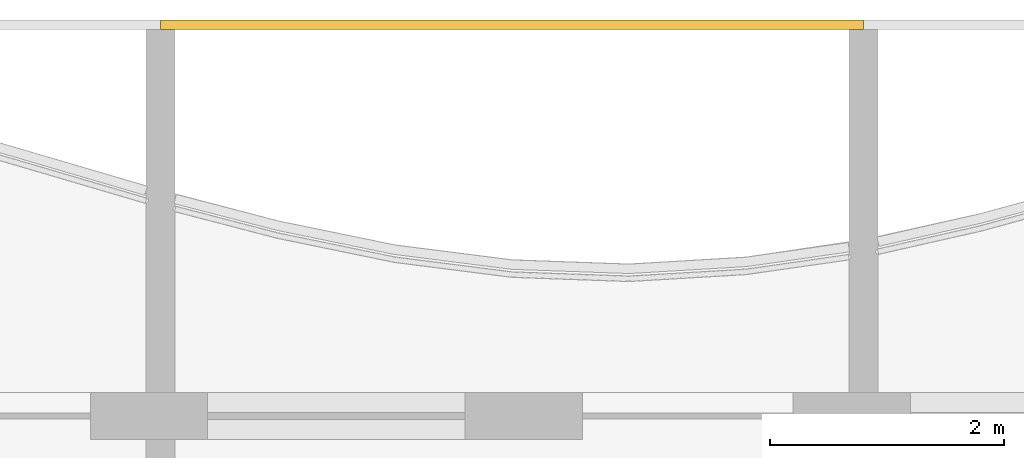
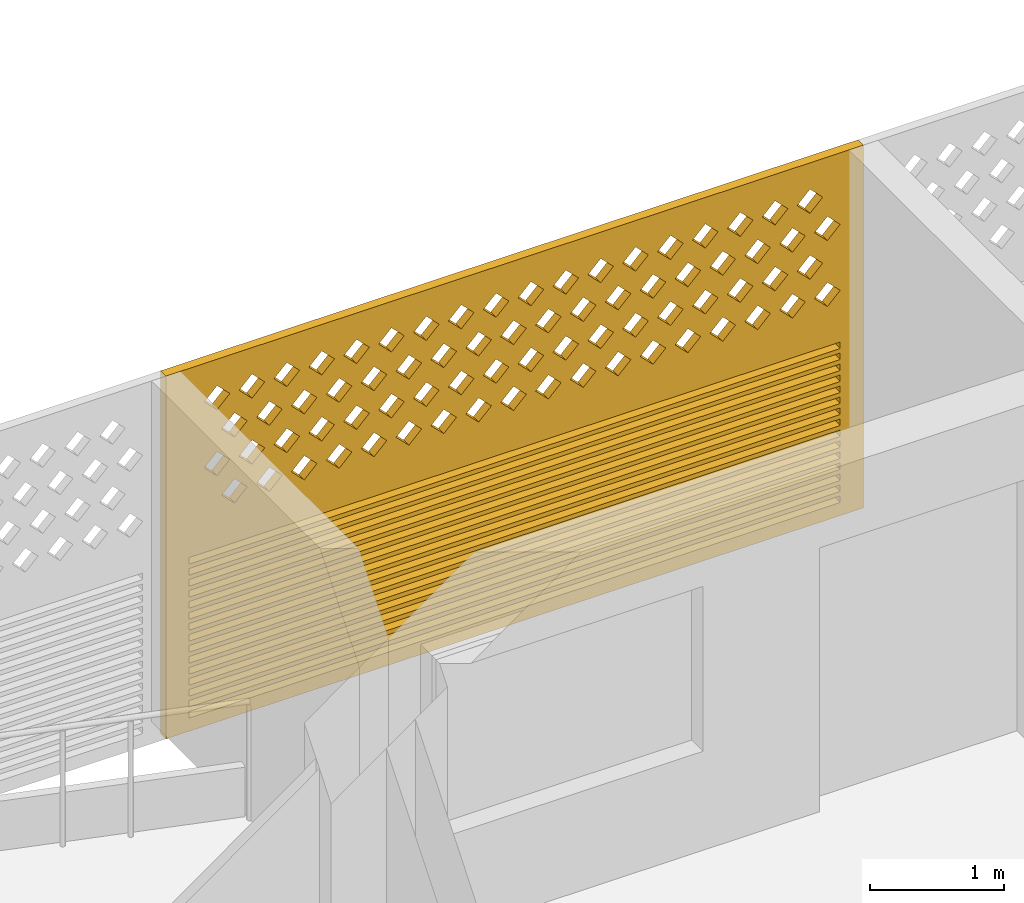
# One storey, part 24 of 26: 1 covering.
"""IFC4 building model written with IfcOpenShell, lengths in metres."""

from ifc_helpers import new_model, si_unit, direction, frame, origin, place, context, subcontext, project, spatial, polyline, outline, extrude, source, transform, mapped, material, material_profile, profile_set, type_object, element, save


model = new_model("IFC4")

# Units and contexts
model_context = context("Model", 3, precision=1e-05, world=origin(), true_north=direction((0.0, 1.0)))
body_context = subcontext(model_context, "Body", "Model", "MODEL_VIEW")
ifc_project = project(units=[si_unit("LENGTHUNIT", "METRE"), si_unit("AREAUNIT", "SQUARE_METRE"), si_unit("VOLUMEUNIT", "CUBIC_METRE"), si_unit("PLANEANGLEUNIT", "RADIAN"), si_unit("MASSUNIT", "GRAM", prefix="KILO")], contexts=[model_context])

# Site, building, storey
site_placement = place(None, origin())
site = spatial("IfcSite", under=ifc_project, at=site_placement, CompositionType="ELEMENT")
building_placement = place(site_placement, origin())
building = spatial("IfcBuilding", under=site, at=building_placement, Name="Poui Terraces", CompositionType="ELEMENT")
storey_placement = place(building_placement, frame((0.0, 0.0, 241.199951171875)))
storey = spatial("IfcBuildingStorey", under=building, at=storey_placement, Name="L67", CompositionType="ELEMENT", Elevation=241.199951171875)

# Covering
ifc_material = material(Name="Terracotta screen", Category="masonry")
ifc_material_profile = material_profile(ifc_material, outline(polyline([(-3.0, -1.64990234375), (3.0, -1.64990234375), (3.0, 1.64990234375), (-3.0, 1.64990234375), (-3.0, -1.64990234375)]), holes=[polyline([(-2.800048828125, 0.39990234375), (-2.68994140625, 0.2900390625), (-2.580078125, 0.39990234375), (-2.68994140625, 0.510009765625), (-2.800048828125, 0.39990234375)]), polyline([(-2.5, 0.39990234375), (-2.389892578125, 0.2900390625), (-2.280029296875, 0.39990234375), (-2.389892578125, 0.510009765625), (-2.5, 0.39990234375)]), polyline([(-2.199951171875, 0.39990234375), (-2.090087890625, 0.2900390625), (-1.97998046875, 0.39990234375), (-2.090087890625, 0.510009765625), (-2.199951171875, 0.39990234375)]), polyline([(-1.89990234375, 0.39990234375), (-1.7900390625, 0.2900390625), (-1.679931640625, 0.39990234375), (-1.7900390625, 0.510009765625), (-1.89990234375, 0.39990234375)]), polyline([(-1.60009765625, 0.39990234375), (-1.489990234375, 0.2900390625), (-1.3798828125, 0.39990234375), (-1.489990234375, 0.510009765625), (-1.60009765625, 0.39990234375)]), polyline([(-1.300048828125, 0.39990234375), (-1.18994140625, 0.2900390625), (-1.080078125, 0.39990234375), (-1.18994140625, 0.510009765625), (-1.300048828125, 0.39990234375)]), polyline([(-1.0, 0.39990234375), (-0.889892578125, 0.2900390625), (-0.780029296875, 0.39990234375), (-0.889892578125, 0.510009765625), (-1.0, 0.39990234375)]), polyline([(-0.699951171875, 0.39990234375), (-0.590087890625, 0.2900390625), (-0.47998046875, 0.39990234375), (-0.590087890625, 0.510009765625), (-0.699951171875, 0.39990234375)]), polyline([(-0.39990234375, 0.39990234375), (-0.2900390625, 0.2900390625), (-0.179931640625, 0.39990234375), (-0.2900390625, 0.510009765625), (-0.39990234375, 0.39990234375)]), polyline([(-0.10009765625, 0.39990234375), (0.010009765625, 0.2900390625), (0.1201171875, 0.39990234375), (0.010009765625, 0.510009765625), (-0.10009765625, 0.39990234375)]), polyline([(0.199951171875, 0.39990234375), (0.31005859375, 0.2900390625), (0.419921875, 0.39990234375), (0.31005859375, 0.510009765625), (0.199951171875, 0.39990234375)]), polyline([(0.5, 0.39990234375), (0.610107421875, 0.2900390625), (0.719970703125, 0.39990234375), (0.610107421875, 0.510009765625), (0.5, 0.39990234375)]), polyline([(0.800048828125, 0.39990234375), (0.909912109375, 0.2900390625), (1.02001953125, 0.39990234375), (0.909912109375, 0.510009765625), (0.800048828125, 0.39990234375)]), polyline([(1.10009765625, 0.39990234375), (1.2099609375, 0.2900390625), (1.320068359375, 0.39990234375), (1.2099609375, 0.510009765625), (1.10009765625, 0.39990234375)]), polyline([(1.39990234375, 0.39990234375), (1.510009765625, 0.2900390625), (1.6201171875, 0.39990234375), (1.510009765625, 0.510009765625), (1.39990234375, 0.39990234375)]), polyline([(1.699951171875, 0.39990234375), (1.81005859375, 0.2900390625), (1.919921875, 0.39990234375), (1.81005859375, 0.510009765625), (1.699951171875, 0.39990234375)]), polyline([(2.0, 0.39990234375), (2.110107421875, 0.2900390625), (2.219970703125, 0.39990234375), (2.110107421875, 0.510009765625), (2.0, 0.39990234375)]), polyline([(2.300048828125, 0.39990234375), (2.409912109375, 0.2900390625), (2.52001953125, 0.39990234375), (2.409912109375, 0.510009765625), (2.300048828125, 0.39990234375)]), polyline([(-2.64990234375, 0.699951171875), (-2.5400390625, 0.590087890625), (-2.429931640625, 0.699951171875), (-2.5400390625, 0.81005859375), (-2.64990234375, 0.699951171875)]), polyline([(-2.35009765625, 0.699951171875), (-2.239990234375, 0.590087890625), (-2.1298828125, 0.699951171875), (-2.239990234375, 0.81005859375), (-2.35009765625, 0.699951171875)]), polyline([(-2.050048828125, 0.699951171875), (-1.93994140625, 0.590087890625), (-1.830078125, 0.699951171875), (-1.93994140625, 0.81005859375), (-2.050048828125, 0.699951171875)]), polyline([(-1.75, 0.699951171875), (-1.639892578125, 0.590087890625), (-1.530029296875, 0.699951171875), (-1.639892578125, 0.81005859375), (-1.75, 0.699951171875)]), polyline([(-1.449951171875, 0.699951171875), (-1.340087890625, 0.590087890625), (-1.22998046875, 0.699951171875), (-1.340087890625, 0.81005859375), (-1.449951171875, 0.699951171875)]), polyline([(-1.14990234375, 0.699951171875), (-1.0400390625, 0.590087890625), (-0.929931640625, 0.699951171875), (-1.0400390625, 0.81005859375), (-1.14990234375, 0.699951171875)]), polyline([(-0.85009765625, 0.699951171875), (-0.739990234375, 0.590087890625), (-0.6298828125, 0.699951171875), (-0.739990234375, 0.81005859375), (-0.85009765625, 0.699951171875)]), polyline([(-0.550048828125, 0.699951171875), (-0.43994140625, 0.590087890625), (-0.330078125, 0.699951171875), (-0.43994140625, 0.81005859375), (-0.550048828125, 0.699951171875)]), polyline([(-0.25, 0.699951171875), (-0.139892578125, 0.590087890625), (-0.030029296875, 0.699951171875), (-0.139892578125, 0.81005859375), (-0.25, 0.699951171875)]), polyline([(0.050048828125, 0.699951171875), (0.159912109375, 0.590087890625), (0.27001953125, 0.699951171875), (0.159912109375, 0.81005859375), (0.050048828125, 0.699951171875)]), polyline([(0.35009765625, 0.699951171875), (0.4599609375, 0.590087890625), (0.570068359375, 0.699951171875), (0.4599609375, 0.81005859375), (0.35009765625, 0.699951171875)]), polyline([(0.64990234375, 0.699951171875), (0.760009765625, 0.590087890625), (0.8701171875, 0.699951171875), (0.760009765625, 0.81005859375), (0.64990234375, 0.699951171875)]), polyline([(0.949951171875, 0.699951171875), (1.06005859375, 0.590087890625), (1.169921875, 0.699951171875), (1.06005859375, 0.81005859375), (0.949951171875, 0.699951171875)]), polyline([(1.25, 0.699951171875), (1.360107421875, 0.590087890625), (1.469970703125, 0.699951171875), (1.360107421875, 0.81005859375), (1.25, 0.699951171875)]), polyline([(1.550048828125, 0.699951171875), (1.659912109375, 0.590087890625), (1.77001953125, 0.699951171875), (1.659912109375, 0.81005859375), (1.550048828125, 0.699951171875)]), polyline([(1.85009765625, 0.699951171875), (1.9599609375, 0.590087890625), (2.070068359375, 0.699951171875), (1.9599609375, 0.81005859375), (1.85009765625, 0.699951171875)]), polyline([(2.14990234375, 0.699951171875), (2.260009765625, 0.590087890625), (2.3701171875, 0.699951171875), (2.260009765625, 0.81005859375), (2.14990234375, 0.699951171875)]), polyline([(2.449951171875, 0.699951171875), (2.56005859375, 0.590087890625), (2.669921875, 0.699951171875), (2.56005859375, 0.81005859375), (2.449951171875, 0.699951171875)]), polyline([(-2.800048828125, 1.0), (-2.68994140625, 0.889892578125), (-2.580078125, 1.0), (-2.68994140625, 1.110107421875), (-2.800048828125, 1.0)]), polyline([(-2.5, 1.0), (-2.389892578125, 0.889892578125), (-2.280029296875, 1.0), (-2.389892578125, 1.110107421875), (-2.5, 1.0)]), polyline([(-2.199951171875, 1.0), (-2.090087890625, 0.889892578125), (-1.97998046875, 1.0), (-2.090087890625, 1.110107421875), (-2.199951171875, 1.0)]), polyline([(-1.89990234375, 1.0), (-1.7900390625, 0.889892578125), (-1.679931640625, 1.0), (-1.7900390625, 1.110107421875), (-1.89990234375, 1.0)]), polyline([(-1.60009765625, 1.0), (-1.489990234375, 0.889892578125), (-1.3798828125, 1.0), (-1.489990234375, 1.110107421875), (-1.60009765625, 1.0)]), polyline([(-1.300048828125, 1.0), (-1.18994140625, 0.889892578125), (-1.080078125, 1.0), (-1.18994140625, 1.110107421875), (-1.300048828125, 1.0)]), polyline([(-1.0, 1.0), (-0.889892578125, 0.889892578125), (-0.780029296875, 1.0), (-0.889892578125, 1.110107421875), (-1.0, 1.0)]), polyline([(-0.699951171875, 1.0), (-0.590087890625, 0.889892578125), (-0.47998046875, 1.0), (-0.590087890625, 1.110107421875), (-0.699951171875, 1.0)]), polyline([(-0.39990234375, 1.0), (-0.2900390625, 0.889892578125), (-0.179931640625, 1.0), (-0.2900390625, 1.110107421875), (-0.39990234375, 1.0)]), polyline([(-0.10009765625, 1.0), (0.010009765625, 0.889892578125), (0.1201171875, 1.0), (0.010009765625, 1.110107421875), (-0.10009765625, 1.0)]), polyline([(0.199951171875, 1.0), (0.31005859375, 0.889892578125), (0.419921875, 1.0), (0.31005859375, 1.110107421875), (0.199951171875, 1.0)]), polyline([(0.5, 1.0), (0.610107421875, 0.889892578125), (0.719970703125, 1.0), (0.610107421875, 1.110107421875), (0.5, 1.0)]), polyline([(0.800048828125, 1.0), (0.909912109375, 0.889892578125), (1.02001953125, 1.0), (0.909912109375, 1.110107421875), (0.800048828125, 1.0)]), polyline([(1.10009765625, 1.0), (1.2099609375, 0.889892578125), (1.320068359375, 1.0), (1.2099609375, 1.110107421875), (1.10009765625, 1.0)]), polyline([(1.39990234375, 1.0), (1.510009765625, 0.889892578125), (1.6201171875, 1.0), (1.510009765625, 1.110107421875), (1.39990234375, 1.0)]), polyline([(1.699951171875, 1.0), (1.81005859375, 0.889892578125), (1.919921875, 1.0), (1.81005859375, 1.110107421875), (1.699951171875, 1.0)]), polyline([(2.0, 1.0), (2.110107421875, 0.889892578125), (2.219970703125, 1.0), (2.110107421875, 1.110107421875), (2.0, 1.0)]), polyline([(2.300048828125, 1.0), (2.409912109375, 0.889892578125), (2.52001953125, 1.0), (2.409912109375, 1.110107421875), (2.300048828125, 1.0)]), polyline([(-2.64990234375, 1.300048828125), (-2.5400390625, 1.18994140625), (-2.429931640625, 1.300048828125), (-2.5400390625, 1.409912109375), (-2.64990234375, 1.300048828125)]), polyline([(-2.35009765625, 1.300048828125), (-2.239990234375, 1.18994140625), (-2.1298828125, 1.300048828125), (-2.239990234375, 1.409912109375), (-2.35009765625, 1.300048828125)]), polyline([(-2.050048828125, 1.300048828125), (-1.93994140625, 1.18994140625), (-1.830078125, 1.300048828125), (-1.93994140625, 1.409912109375), (-2.050048828125, 1.300048828125)]), polyline([(-1.75, 1.300048828125), (-1.639892578125, 1.18994140625), (-1.530029296875, 1.300048828125), (-1.639892578125, 1.409912109375), (-1.75, 1.300048828125)]), polyline([(-1.449951171875, 1.300048828125), (-1.340087890625, 1.18994140625), (-1.22998046875, 1.300048828125), (-1.340087890625, 1.409912109375), (-1.449951171875, 1.300048828125)]), polyline([(-1.14990234375, 1.300048828125), (-1.0400390625, 1.18994140625), (-0.929931640625, 1.300048828125), (-1.0400390625, 1.409912109375), (-1.14990234375, 1.300048828125)]), polyline([(-0.85009765625, 1.300048828125), (-0.739990234375, 1.18994140625), (-0.6298828125, 1.300048828125), (-0.739990234375, 1.409912109375), (-0.85009765625, 1.300048828125)]), polyline([(-0.550048828125, 1.300048828125), (-0.43994140625, 1.18994140625), (-0.330078125, 1.300048828125), (-0.43994140625, 1.409912109375), (-0.550048828125, 1.300048828125)]), polyline([(-0.25, 1.300048828125), (-0.139892578125, 1.18994140625), (-0.030029296875, 1.300048828125), (-0.139892578125, 1.409912109375), (-0.25, 1.300048828125)]), polyline([(0.050048828125, 1.300048828125), (0.159912109375, 1.18994140625), (0.27001953125, 1.300048828125), (0.159912109375, 1.409912109375), (0.050048828125, 1.300048828125)]), polyline([(0.35009765625, 1.300048828125), (0.4599609375, 1.18994140625), (0.570068359375, 1.300048828125), (0.4599609375, 1.409912109375), (0.35009765625, 1.300048828125)]), polyline([(0.64990234375, 1.300048828125), (0.760009765625, 1.18994140625), (0.8701171875, 1.300048828125), (0.760009765625, 1.409912109375), (0.64990234375, 1.300048828125)]), polyline([(0.949951171875, 1.300048828125), (1.06005859375, 1.18994140625), (1.169921875, 1.300048828125), (1.06005859375, 1.409912109375), (0.949951171875, 1.300048828125)]), polyline([(1.25, 1.300048828125), (1.360107421875, 1.18994140625), (1.469970703125, 1.300048828125), (1.360107421875, 1.409912109375), (1.25, 1.300048828125)]), polyline([(1.550048828125, 1.300048828125), (1.659912109375, 1.18994140625), (1.77001953125, 1.300048828125), (1.659912109375, 1.409912109375), (1.550048828125, 1.300048828125)]), polyline([(1.85009765625, 1.300048828125), (1.9599609375, 1.18994140625), (2.070068359375, 1.300048828125), (1.9599609375, 1.409912109375), (1.85009765625, 1.300048828125)]), polyline([(2.14990234375, 1.300048828125), (2.260009765625, 1.18994140625), (2.3701171875, 1.300048828125), (2.260009765625, 1.409912109375), (2.14990234375, 1.300048828125)]), polyline([(2.449951171875, 1.300048828125), (2.56005859375, 1.18994140625), (2.669921875, 1.300048828125), (2.56005859375, 1.409912109375), (2.449951171875, 1.300048828125)]), polyline([(-2.800048828125, -1.530029296875), (2.800048828125, -1.530029296875), (2.800048828125, -1.469970703125), (-2.800048828125, -1.469970703125), (-2.800048828125, -1.530029296875)]), polyline([(-2.800048828125, -1.429931640625), (2.800048828125, -1.429931640625), (2.800048828125, -1.3701171875), (-2.800048828125, -1.3701171875), (-2.800048828125, -1.429931640625)]), polyline([(-2.800048828125, -1.330078125), (2.800048828125, -1.330078125), (2.800048828125, -1.27001953125), (-2.800048828125, -1.27001953125), (-2.800048828125, -1.330078125)]), polyline([(-2.800048828125, -1.22998046875), (2.800048828125, -1.22998046875), (2.800048828125, -1.169921875), (-2.800048828125, -1.169921875), (-2.800048828125, -1.22998046875)]), polyline([(-2.800048828125, -1.1298828125), (2.800048828125, -1.1298828125), (2.800048828125, -1.070068359375), (-2.800048828125, -1.070068359375), (-2.800048828125, -1.1298828125)]), polyline([(-2.800048828125, -1.030029296875), (2.800048828125, -1.030029296875), (2.800048828125, -0.969970703125), (-2.800048828125, -0.969970703125), (-2.800048828125, -1.030029296875)]), polyline([(-2.800048828125, -0.929931640625), (2.800048828125, -0.929931640625), (2.800048828125, -0.8701171875), (-2.800048828125, -0.8701171875), (-2.800048828125, -0.929931640625)]), polyline([(-2.800048828125, -0.830078125), (2.800048828125, -0.830078125), (2.800048828125, -0.77001953125), (-2.800048828125, -0.77001953125), (-2.800048828125, -0.830078125)]), polyline([(-2.800048828125, -0.72998046875), (2.800048828125, -0.72998046875), (2.800048828125, -0.669921875), (-2.800048828125, -0.669921875), (-2.800048828125, -0.72998046875)]), polyline([(-2.800048828125, -0.6298828125), (2.800048828125, -0.6298828125), (2.800048828125, -0.570068359375), (-2.800048828125, -0.570068359375), (-2.800048828125, -0.6298828125)]), polyline([(-2.800048828125, -0.530029296875), (2.800048828125, -0.530029296875), (2.800048828125, -0.469970703125), (-2.800048828125, -0.469970703125), (-2.800048828125, -0.530029296875)]), polyline([(-2.800048828125, -0.429931640625), (2.800048828125, -0.429931640625), (2.800048828125, -0.3701171875), (-2.800048828125, -0.3701171875), (-2.800048828125, -0.429931640625)]), polyline([(-2.800048828125, -0.330078125), (2.800048828125, -0.330078125), (2.800048828125, -0.27001953125), (-2.800048828125, -0.27001953125), (-2.800048828125, -0.330078125)]), polyline([(-2.800048828125, -0.22998046875), (2.800048828125, -0.22998046875), (2.800048828125, -0.169921875), (-2.800048828125, -0.169921875), (-2.800048828125, -0.22998046875)]), polyline([(-2.800048828125, -0.1298828125), (2.800048828125, -0.1298828125), (2.800048828125, -0.070068359375), (-2.800048828125, -0.070068359375), (-2.800048828125, -0.1298828125)])]), Name="TERRACOTTA SCREEN AND JALOUSIE LOUVRE 6000X3300")
ifc_profile_set = profile_set([ifc_material_profile], Name="Terracotta screen")
covering_type = type_object("IfcCoveringType", Name="TERRACOTTA SCREEN AND JALOUSIE LOUVRE 6000X3300", PredefinedType="CLADDING", material=ifc_profile_set)
shared_shape = source(origin(), body_context, "Body", "SweptSolid", [
    extrude(outline(polyline([(-3.0, -1.64990234375), (3.0, -1.64990234375), (3.0, 1.64990234375), (-3.0, 1.64990234375), (-3.0, -1.64990234375)]), holes=[polyline([(-2.800048828125, 0.39990234375), (-2.68994140625, 0.2900390625), (-2.580078125, 0.39990234375), (-2.68994140625, 0.510009765625), (-2.800048828125, 0.39990234375)]), polyline([(-2.5, 0.39990234375), (-2.389892578125, 0.2900390625), (-2.280029296875, 0.39990234375), (-2.389892578125, 0.510009765625), (-2.5, 0.39990234375)]), polyline([(-2.199951171875, 0.39990234375), (-2.090087890625, 0.2900390625), (-1.97998046875, 0.39990234375), (-2.090087890625, 0.510009765625), (-2.199951171875, 0.39990234375)]), polyline([(-1.89990234375, 0.39990234375), (-1.7900390625, 0.2900390625), (-1.679931640625, 0.39990234375), (-1.7900390625, 0.510009765625), (-1.89990234375, 0.39990234375)]), polyline([(-1.60009765625, 0.39990234375), (-1.489990234375, 0.2900390625), (-1.3798828125, 0.39990234375), (-1.489990234375, 0.510009765625), (-1.60009765625, 0.39990234375)]), polyline([(-1.300048828125, 0.39990234375), (-1.18994140625, 0.2900390625), (-1.080078125, 0.39990234375), (-1.18994140625, 0.510009765625), (-1.300048828125, 0.39990234375)]), polyline([(-1.0, 0.39990234375), (-0.889892578125, 0.2900390625), (-0.780029296875, 0.39990234375), (-0.889892578125, 0.510009765625), (-1.0, 0.39990234375)]), polyline([(-0.699951171875, 0.39990234375), (-0.590087890625, 0.2900390625), (-0.47998046875, 0.39990234375), (-0.590087890625, 0.510009765625), (-0.699951171875, 0.39990234375)]), polyline([(-0.39990234375, 0.39990234375), (-0.2900390625, 0.2900390625), (-0.179931640625, 0.39990234375), (-0.2900390625, 0.510009765625), (-0.39990234375, 0.39990234375)]), polyline([(-0.10009765625, 0.39990234375), (0.010009765625, 0.2900390625), (0.1201171875, 0.39990234375), (0.010009765625, 0.510009765625), (-0.10009765625, 0.39990234375)]), polyline([(0.199951171875, 0.39990234375), (0.31005859375, 0.2900390625), (0.419921875, 0.39990234375), (0.31005859375, 0.510009765625), (0.199951171875, 0.39990234375)]), polyline([(0.5, 0.39990234375), (0.610107421875, 0.2900390625), (0.719970703125, 0.39990234375), (0.610107421875, 0.510009765625), (0.5, 0.39990234375)]), polyline([(0.800048828125, 0.39990234375), (0.909912109375, 0.2900390625), (1.02001953125, 0.39990234375), (0.909912109375, 0.510009765625), (0.800048828125, 0.39990234375)]), polyline([(1.10009765625, 0.39990234375), (1.2099609375, 0.2900390625), (1.320068359375, 0.39990234375), (1.2099609375, 0.510009765625), (1.10009765625, 0.39990234375)]), polyline([(1.39990234375, 0.39990234375), (1.510009765625, 0.2900390625), (1.6201171875, 0.39990234375), (1.510009765625, 0.510009765625), (1.39990234375, 0.39990234375)]), polyline([(1.699951171875, 0.39990234375), (1.81005859375, 0.2900390625), (1.919921875, 0.39990234375), (1.81005859375, 0.510009765625), (1.699951171875, 0.39990234375)]), polyline([(2.0, 0.39990234375), (2.110107421875, 0.2900390625), (2.219970703125, 0.39990234375), (2.110107421875, 0.510009765625), (2.0, 0.39990234375)]), polyline([(2.300048828125, 0.39990234375), (2.409912109375, 0.2900390625), (2.52001953125, 0.39990234375), (2.409912109375, 0.510009765625), (2.300048828125, 0.39990234375)]), polyline([(-2.64990234375, 0.699951171875), (-2.5400390625, 0.590087890625), (-2.429931640625, 0.699951171875), (-2.5400390625, 0.81005859375), (-2.64990234375, 0.699951171875)]), polyline([(-2.35009765625, 0.699951171875), (-2.239990234375, 0.590087890625), (-2.1298828125, 0.699951171875), (-2.239990234375, 0.81005859375), (-2.35009765625, 0.699951171875)]), polyline([(-2.050048828125, 0.699951171875), (-1.93994140625, 0.590087890625), (-1.830078125, 0.699951171875), (-1.93994140625, 0.81005859375), (-2.050048828125, 0.699951171875)]), polyline([(-1.75, 0.699951171875), (-1.639892578125, 0.590087890625), (-1.530029296875, 0.699951171875), (-1.639892578125, 0.81005859375), (-1.75, 0.699951171875)]), polyline([(-1.449951171875, 0.699951171875), (-1.340087890625, 0.590087890625), (-1.22998046875, 0.699951171875), (-1.340087890625, 0.81005859375), (-1.449951171875, 0.699951171875)]), polyline([(-1.14990234375, 0.699951171875), (-1.0400390625, 0.590087890625), (-0.929931640625, 0.699951171875), (-1.0400390625, 0.81005859375), (-1.14990234375, 0.699951171875)]), polyline([(-0.85009765625, 0.699951171875), (-0.739990234375, 0.590087890625), (-0.6298828125, 0.699951171875), (-0.739990234375, 0.81005859375), (-0.85009765625, 0.699951171875)]), polyline([(-0.550048828125, 0.699951171875), (-0.43994140625, 0.590087890625), (-0.330078125, 0.699951171875), (-0.43994140625, 0.81005859375), (-0.550048828125, 0.699951171875)]), polyline([(-0.25, 0.699951171875), (-0.139892578125, 0.590087890625), (-0.030029296875, 0.699951171875), (-0.139892578125, 0.81005859375), (-0.25, 0.699951171875)]), polyline([(0.050048828125, 0.699951171875), (0.159912109375, 0.590087890625), (0.27001953125, 0.699951171875), (0.159912109375, 0.81005859375), (0.050048828125, 0.699951171875)]), polyline([(0.35009765625, 0.699951171875), (0.4599609375, 0.590087890625), (0.570068359375, 0.699951171875), (0.4599609375, 0.81005859375), (0.35009765625, 0.699951171875)]), polyline([(0.64990234375, 0.699951171875), (0.760009765625, 0.590087890625), (0.8701171875, 0.699951171875), (0.760009765625, 0.81005859375), (0.64990234375, 0.699951171875)]), polyline([(0.949951171875, 0.699951171875), (1.06005859375, 0.590087890625), (1.169921875, 0.699951171875), (1.06005859375, 0.81005859375), (0.949951171875, 0.699951171875)]), polyline([(1.25, 0.699951171875), (1.360107421875, 0.590087890625), (1.469970703125, 0.699951171875), (1.360107421875, 0.81005859375), (1.25, 0.699951171875)]), polyline([(1.550048828125, 0.699951171875), (1.659912109375, 0.590087890625), (1.77001953125, 0.699951171875), (1.659912109375, 0.81005859375), (1.550048828125, 0.699951171875)]), polyline([(1.85009765625, 0.699951171875), (1.9599609375, 0.590087890625), (2.070068359375, 0.699951171875), (1.9599609375, 0.81005859375), (1.85009765625, 0.699951171875)]), polyline([(2.14990234375, 0.699951171875), (2.260009765625, 0.590087890625), (2.3701171875, 0.699951171875), (2.260009765625, 0.81005859375), (2.14990234375, 0.699951171875)]), polyline([(2.449951171875, 0.699951171875), (2.56005859375, 0.590087890625), (2.669921875, 0.699951171875), (2.56005859375, 0.81005859375), (2.449951171875, 0.699951171875)]), polyline([(-2.800048828125, 1.0), (-2.68994140625, 0.889892578125), (-2.580078125, 1.0), (-2.68994140625, 1.110107421875), (-2.800048828125, 1.0)]), polyline([(-2.5, 1.0), (-2.389892578125, 0.889892578125), (-2.280029296875, 1.0), (-2.389892578125, 1.110107421875), (-2.5, 1.0)]), polyline([(-2.199951171875, 1.0), (-2.090087890625, 0.889892578125), (-1.97998046875, 1.0), (-2.090087890625, 1.110107421875), (-2.199951171875, 1.0)]), polyline([(-1.89990234375, 1.0), (-1.7900390625, 0.889892578125), (-1.679931640625, 1.0), (-1.7900390625, 1.110107421875), (-1.89990234375, 1.0)]), polyline([(-1.60009765625, 1.0), (-1.489990234375, 0.889892578125), (-1.3798828125, 1.0), (-1.489990234375, 1.110107421875), (-1.60009765625, 1.0)]), polyline([(-1.300048828125, 1.0), (-1.18994140625, 0.889892578125), (-1.080078125, 1.0), (-1.18994140625, 1.110107421875), (-1.300048828125, 1.0)]), polyline([(-1.0, 1.0), (-0.889892578125, 0.889892578125), (-0.780029296875, 1.0), (-0.889892578125, 1.110107421875), (-1.0, 1.0)]), polyline([(-0.699951171875, 1.0), (-0.590087890625, 0.889892578125), (-0.47998046875, 1.0), (-0.590087890625, 1.110107421875), (-0.699951171875, 1.0)]), polyline([(-0.39990234375, 1.0), (-0.2900390625, 0.889892578125), (-0.179931640625, 1.0), (-0.2900390625, 1.110107421875), (-0.39990234375, 1.0)]), polyline([(-0.10009765625, 1.0), (0.010009765625, 0.889892578125), (0.1201171875, 1.0), (0.010009765625, 1.110107421875), (-0.10009765625, 1.0)]), polyline([(0.199951171875, 1.0), (0.31005859375, 0.889892578125), (0.419921875, 1.0), (0.31005859375, 1.110107421875), (0.199951171875, 1.0)]), polyline([(0.5, 1.0), (0.610107421875, 0.889892578125), (0.719970703125, 1.0), (0.610107421875, 1.110107421875), (0.5, 1.0)]), polyline([(0.800048828125, 1.0), (0.909912109375, 0.889892578125), (1.02001953125, 1.0), (0.909912109375, 1.110107421875), (0.800048828125, 1.0)]), polyline([(1.10009765625, 1.0), (1.2099609375, 0.889892578125), (1.320068359375, 1.0), (1.2099609375, 1.110107421875), (1.10009765625, 1.0)]), polyline([(1.39990234375, 1.0), (1.510009765625, 0.889892578125), (1.6201171875, 1.0), (1.510009765625, 1.110107421875), (1.39990234375, 1.0)]), polyline([(1.699951171875, 1.0), (1.81005859375, 0.889892578125), (1.919921875, 1.0), (1.81005859375, 1.110107421875), (1.699951171875, 1.0)]), polyline([(2.0, 1.0), (2.110107421875, 0.889892578125), (2.219970703125, 1.0), (2.110107421875, 1.110107421875), (2.0, 1.0)]), polyline([(2.300048828125, 1.0), (2.409912109375, 0.889892578125), (2.52001953125, 1.0), (2.409912109375, 1.110107421875), (2.300048828125, 1.0)]), polyline([(-2.64990234375, 1.300048828125), (-2.5400390625, 1.18994140625), (-2.429931640625, 1.300048828125), (-2.5400390625, 1.409912109375), (-2.64990234375, 1.300048828125)]), polyline([(-2.35009765625, 1.300048828125), (-2.239990234375, 1.18994140625), (-2.1298828125, 1.300048828125), (-2.239990234375, 1.409912109375), (-2.35009765625, 1.300048828125)]), polyline([(-2.050048828125, 1.300048828125), (-1.93994140625, 1.18994140625), (-1.830078125, 1.300048828125), (-1.93994140625, 1.409912109375), (-2.050048828125, 1.300048828125)]), polyline([(-1.75, 1.300048828125), (-1.639892578125, 1.18994140625), (-1.530029296875, 1.300048828125), (-1.639892578125, 1.409912109375), (-1.75, 1.300048828125)]), polyline([(-1.449951171875, 1.300048828125), (-1.340087890625, 1.18994140625), (-1.22998046875, 1.300048828125), (-1.340087890625, 1.409912109375), (-1.449951171875, 1.300048828125)]), polyline([(-1.14990234375, 1.300048828125), (-1.0400390625, 1.18994140625), (-0.929931640625, 1.300048828125), (-1.0400390625, 1.409912109375), (-1.14990234375, 1.300048828125)]), polyline([(-0.85009765625, 1.300048828125), (-0.739990234375, 1.18994140625), (-0.6298828125, 1.300048828125), (-0.739990234375, 1.409912109375), (-0.85009765625, 1.300048828125)]), polyline([(-0.550048828125, 1.300048828125), (-0.43994140625, 1.18994140625), (-0.330078125, 1.300048828125), (-0.43994140625, 1.409912109375), (-0.550048828125, 1.300048828125)]), polyline([(-0.25, 1.300048828125), (-0.139892578125, 1.18994140625), (-0.030029296875, 1.300048828125), (-0.139892578125, 1.409912109375), (-0.25, 1.300048828125)]), polyline([(0.050048828125, 1.300048828125), (0.159912109375, 1.18994140625), (0.27001953125, 1.300048828125), (0.159912109375, 1.409912109375), (0.050048828125, 1.300048828125)]), polyline([(0.35009765625, 1.300048828125), (0.4599609375, 1.18994140625), (0.570068359375, 1.300048828125), (0.4599609375, 1.409912109375), (0.35009765625, 1.300048828125)]), polyline([(0.64990234375, 1.300048828125), (0.760009765625, 1.18994140625), (0.8701171875, 1.300048828125), (0.760009765625, 1.409912109375), (0.64990234375, 1.300048828125)]), polyline([(0.949951171875, 1.300048828125), (1.06005859375, 1.18994140625), (1.169921875, 1.300048828125), (1.06005859375, 1.409912109375), (0.949951171875, 1.300048828125)]), polyline([(1.25, 1.300048828125), (1.360107421875, 1.18994140625), (1.469970703125, 1.300048828125), (1.360107421875, 1.409912109375), (1.25, 1.300048828125)]), polyline([(1.550048828125, 1.300048828125), (1.659912109375, 1.18994140625), (1.77001953125, 1.300048828125), (1.659912109375, 1.409912109375), (1.550048828125, 1.300048828125)]), polyline([(1.85009765625, 1.300048828125), (1.9599609375, 1.18994140625), (2.070068359375, 1.300048828125), (1.9599609375, 1.409912109375), (1.85009765625, 1.300048828125)]), polyline([(2.14990234375, 1.300048828125), (2.260009765625, 1.18994140625), (2.3701171875, 1.300048828125), (2.260009765625, 1.409912109375), (2.14990234375, 1.300048828125)]), polyline([(2.449951171875, 1.300048828125), (2.56005859375, 1.18994140625), (2.669921875, 1.300048828125), (2.56005859375, 1.409912109375), (2.449951171875, 1.300048828125)]), polyline([(-2.800048828125, -1.530029296875), (2.800048828125, -1.530029296875), (2.800048828125, -1.469970703125), (-2.800048828125, -1.469970703125), (-2.800048828125, -1.530029296875)]), polyline([(-2.800048828125, -1.429931640625), (2.800048828125, -1.429931640625), (2.800048828125, -1.3701171875), (-2.800048828125, -1.3701171875), (-2.800048828125, -1.429931640625)]), polyline([(-2.800048828125, -1.330078125), (2.800048828125, -1.330078125), (2.800048828125, -1.27001953125), (-2.800048828125, -1.27001953125), (-2.800048828125, -1.330078125)]), polyline([(-2.800048828125, -1.22998046875), (2.800048828125, -1.22998046875), (2.800048828125, -1.169921875), (-2.800048828125, -1.169921875), (-2.800048828125, -1.22998046875)]), polyline([(-2.800048828125, -1.1298828125), (2.800048828125, -1.1298828125), (2.800048828125, -1.070068359375), (-2.800048828125, -1.070068359375), (-2.800048828125, -1.1298828125)]), polyline([(-2.800048828125, -1.030029296875), (2.800048828125, -1.030029296875), (2.800048828125, -0.969970703125), (-2.800048828125, -0.969970703125), (-2.800048828125, -1.030029296875)]), polyline([(-2.800048828125, -0.929931640625), (2.800048828125, -0.929931640625), (2.800048828125, -0.8701171875), (-2.800048828125, -0.8701171875), (-2.800048828125, -0.929931640625)]), polyline([(-2.800048828125, -0.830078125), (2.800048828125, -0.830078125), (2.800048828125, -0.77001953125), (-2.800048828125, -0.77001953125), (-2.800048828125, -0.830078125)]), polyline([(-2.800048828125, -0.72998046875), (2.800048828125, -0.72998046875), (2.800048828125, -0.669921875), (-2.800048828125, -0.669921875), (-2.800048828125, -0.72998046875)]), polyline([(-2.800048828125, -0.6298828125), (2.800048828125, -0.6298828125), (2.800048828125, -0.570068359375), (-2.800048828125, -0.570068359375), (-2.800048828125, -0.6298828125)]), polyline([(-2.800048828125, -0.530029296875), (2.800048828125, -0.530029296875), (2.800048828125, -0.469970703125), (-2.800048828125, -0.469970703125), (-2.800048828125, -0.530029296875)]), polyline([(-2.800048828125, -0.429931640625), (2.800048828125, -0.429931640625), (2.800048828125, -0.3701171875), (-2.800048828125, -0.3701171875), (-2.800048828125, -0.429931640625)]), polyline([(-2.800048828125, -0.330078125), (2.800048828125, -0.330078125), (2.800048828125, -0.27001953125), (-2.800048828125, -0.27001953125), (-2.800048828125, -0.330078125)]), polyline([(-2.800048828125, -0.22998046875), (2.800048828125, -0.22998046875), (2.800048828125, -0.169921875), (-2.800048828125, -0.169921875), (-2.800048828125, -0.22998046875)]), polyline([(-2.800048828125, -0.1298828125), (2.800048828125, -0.1298828125), (2.800048828125, -0.070068359375), (-2.800048828125, -0.070068359375), (-2.800048828125, -0.1298828125)])]), origin(), (0.0, 0.0, 1.0), 0.080078125),
])
covering_placement = place(storey_placement, frame((69.0, 44.5, 1.449951171875), z_axis=(0.0, 1.0, 0.0), x_axis=(-1.0, 0.0, 0.0)))
element("IfcCovering", 1, at=covering_placement, inside=storey, type_object=covering_type, Name="SOLAR SCREEN AND JALOUSIE LOUVRE", PredefinedType="CLADDING", context=body_context, shape_type="MappedRepresentation", body=[
    mapped(shared_shape, transform((0.0, 0.0, 0.0))),
])

save(model, "model.ifc")
